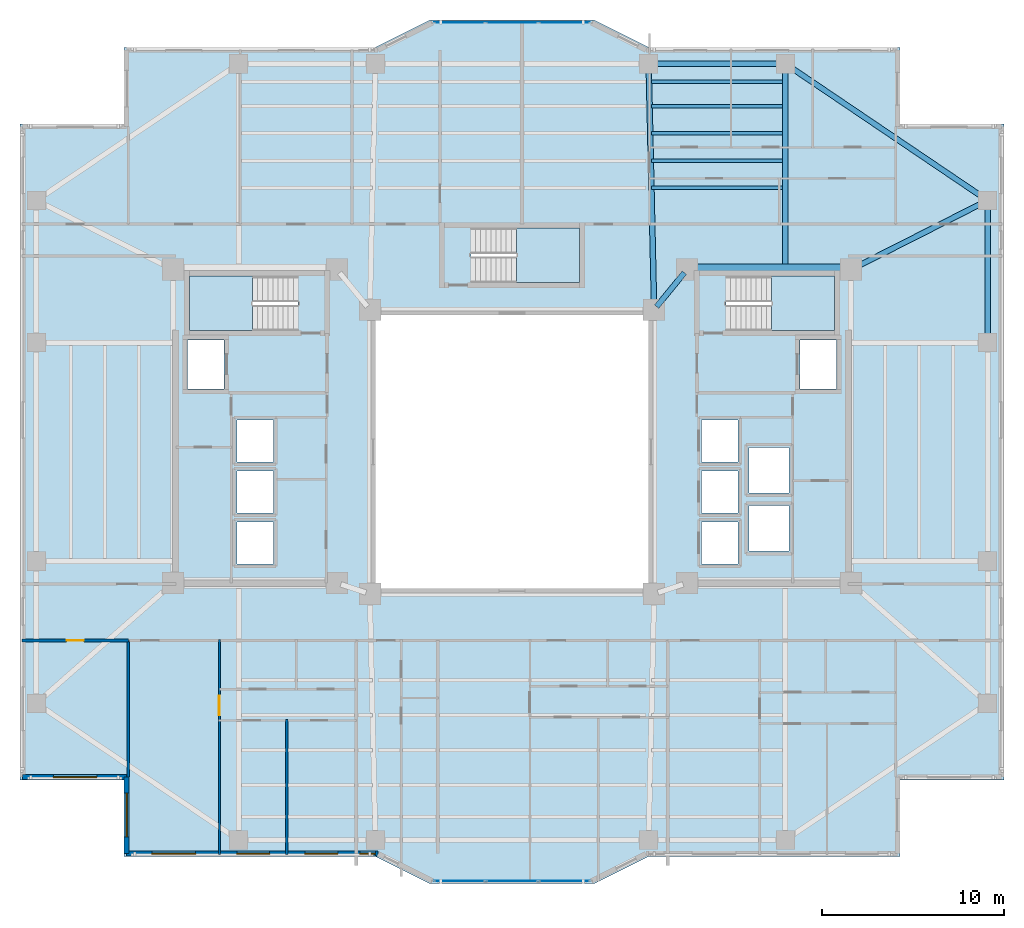
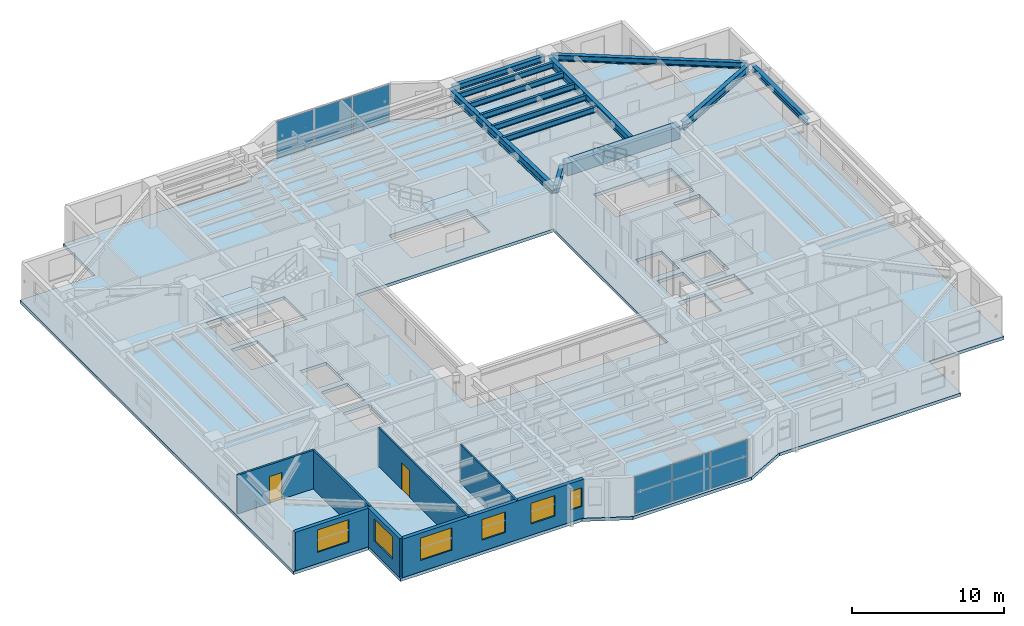
# One storey, part 5 of 18: 13 beams, 7 walls, 6 plates, 6 windows, 4 slabs, 2 doors, 8 openings, 5 elements without a shape of their own.
"""IFC4 building model written with IfcOpenShell, lengths in metres."""

from ifc_helpers import new_model, si_unit, direction, frame, frame_2d, origin, origin_2d, place, context, subcontext, project, spatial, polyline, rectangle, i_section, outline, extrude, material, layer, layer_set, material_profile, profile_set, type_object, element, fill, aggregate, save


model = new_model("IFC4")

# Units and contexts
model_context = context("Model", 3, precision=1e-05, world=origin(), true_north=direction((0.0, 1.0)))
body_context = subcontext(model_context, "Body", "Model", "MODEL_VIEW")
ifc_project = project(units=[si_unit("LENGTHUNIT", "METRE"), si_unit("AREAUNIT", "SQUARE_METRE"), si_unit("VOLUMEUNIT", "CUBIC_METRE"), si_unit("PLANEANGLEUNIT", "RADIAN"), si_unit("MASSUNIT", "GRAM", prefix="KILO")], contexts=[model_context])

# Site, building, storey
site_placement = place(None, origin())
site = spatial("IfcSite", under=ifc_project, at=site_placement, CompositionType="ELEMENT")
building_placement = place(site_placement, origin())
building = spatial("IfcBuilding", under=site, at=building_placement, Name="Tarnavaz Court Tower", CompositionType="ELEMENT")
storey_placement = place(building_placement, frame((0.0, 0.0, 85.0)))
storey = spatial("IfcBuildingStorey", under=building, at=storey_placement, Name="L22", CompositionType="ELEMENT", Elevation=85.0)

# Beams
ifc_material_1 = material(Name="Concrete C60/75", Category="concrete")
ifc_material_profile_1 = material_profile(ifc_material_1, rectangle(XDim=0.60009765625, YDim=1.0, at=origin_2d()), Name="RC 600X1000")
ifc_profile_set_1 = profile_set([ifc_material_profile_1], Name="Concrete C60/75")
beam_type_1 = type_object("IfcBeamType", Name="BM-CB1000", PredefinedType="LINTEL", material=ifc_profile_set_1)
beam_1_placement = place(storey_placement, frame((18.3798828125, 10.0, 2.60009765625), z_axis=(-1.0, 0.0, 0.0), x_axis=(0.0, -1.0, 0.0)))
element("IfcBeam", 1, at=beam_1_placement, inside=storey, type_object=beam_type_1, Name="L22 Beam IN-CE-NO-CE-NI", PredefinedType="LINTEL", context=body_context, shape_type="SweptSolid", body=[
    extrude(rectangle(XDim=0.60009765625, YDim=1.0, at=origin_2d()), origin(), (0.0, 0.0, 1.0), 8.559814453125),
])
ifc_material_2 = material(Name="Steel S355", Category="steel")
ifc_material_profile_2 = material_profile(ifc_material_2, i_section(OverallWidth=0.300048828125, OverallDepth=0.64990234375, WebThickness=0.01611328125, FlangeThickness=0.031005859375, FilletRadius=0.027099609375, at=origin_2d()), Name="HEB 650")
ifc_profile_set_2 = profile_set([ifc_material_profile_2], Name="Steel S355")
beam_type_2 = type_object("IfcBeamType", Name="BM-G-HEB650", PredefinedType="USERDEFINED", material=ifc_profile_set_2)
beam_2_placement = place(storey_placement, frame((9.460693359375, 9.82958984375, 2.77490234375), z_axis=(-0.633282058357, -0.773921077735, 0.0), x_axis=(0.773921077735, -0.633282058357, 0.0)))
element("IfcBeam", 2, at=beam_2_placement, inside=storey, type_object=beam_type_2, Name="L22 Beam IN-CE-NI-IW-NE", ObjectType="GIRDER", PredefinedType="USERDEFINED", context=body_context, shape_type="SweptSolid", body=[
    extrude(i_section(OverallWidth=0.300048828125, OverallDepth=0.64990234375, WebThickness=0.01611328125, FlangeThickness=0.031005859375, FilletRadius=0.027099609375, at=origin_2d()), origin(), (0.0, 0.0, 1.0), 2.402587890625),
])
beam_3_placement = place(storey_placement, frame((7.795166015625, 8.02001953125, 2.77490234375), z_axis=(-0.022221303469, 0.99975307635, 0.0), x_axis=(-0.99975307635, -0.022221303469, 0.0)))
element("IfcBeam", 3, at=beam_3_placement, inside=storey, type_object=beam_type_2, Name="L22 Beam RG-03", ObjectType="GIRDER", PredefinedType="USERDEFINED", context=body_context, shape_type="SweptSolid", body=[
    extrude(i_section(OverallWidth=0.300048828125, OverallDepth=0.64990234375, WebThickness=0.01611328125, FlangeThickness=0.031005859375, FilletRadius=0.027099609375, at=origin_2d()), origin(), (0.0, 0.0, 1.0), 13.063232421875),
])
beam_4_placement = place(storey_placement, frame((15.0, 10.0400390625, 2.77490234375), z_axis=(0.0, 1.0, 0.0), x_axis=(-1.0, 0.0, 0.0)))
element("IfcBeam", 4, at=beam_4_placement, inside=storey, type_object=beam_type_2, Name="L22 Beam RG-04", ObjectType="GIRDER", PredefinedType="USERDEFINED", context=body_context, shape_type="SweptSolid", body=[
    extrude(i_section(OverallWidth=0.300048828125, OverallDepth=0.64990234375, WebThickness=0.01611328125, FlangeThickness=0.031005859375, FilletRadius=0.027099609375, at=origin_2d()), origin(), (0.0, 0.0, 1.0), 11.0400390625),
])
beam_5_placement = place(storey_placement, frame((18.796142578125, 10.099365234375, 2.77490234375), z_axis=(0.892030669981, 0.451974870776, 0.0), x_axis=(-0.451974870776, 0.892030669981, 0.0)))
element("IfcBeam", 5, at=beam_5_placement, inside=storey, type_object=beam_type_2, Name="L22 Beam RG-12", ObjectType="GIRDER", PredefinedType="USERDEFINED", context=body_context, shape_type="SweptSolid", body=[
    extrude(i_section(OverallWidth=0.300048828125, OverallDepth=0.64990234375, WebThickness=0.01611328125, FlangeThickness=0.031005859375, FilletRadius=0.027099609375, at=origin_2d()), origin(), (0.0, 0.0, 1.0), 7.968017578125),
])
ifc_material_profile_3 = material_profile(ifc_material_2, i_section(OverallWidth=0.18994140625, OverallDepth=0.449951171875, WebThickness=0.009521484375, FlangeThickness=0.0146484375, FilletRadius=0.02099609375, at=origin_2d()), Name="IPE 450")
ifc_profile_set_3 = profile_set([ifc_material_profile_3], Name="Steel S355")
beam_type_3 = type_object("IfcBeamType", Name="BM-J-IPE450", PredefinedType="JOIST", material=ifc_profile_set_3)
for number, where, z_axis, x_axis, name in (
    (6, (7.64990234375, 14.493896484375, 2.875), (1.0, 0.0, 0.0), (0.0, 1.0, 0.0), "L22 Beam JN1-3"),
    (7, (7.64990234375, 15.988037109375, 2.875), (1.0, 0.0, 0.0), (0.0, 1.0, 0.0), "L22 Beam JN2-3"),
    (8, (7.64990234375, 17.48193359375, 2.875), (1.0, 0.0, 0.0), (0.0, 1.0, 0.0), "L22 Beam JN3-3"),
    (9, (7.64990234375, 18.97607421875, 2.875), (1.0, 0.0, 0.0), (0.0, 1.0, 0.0), "L22 Beam JN4-3"),
    (10, (7.64990234375, 20.303955078125, 2.875), (1.0, 0.0, 0.0), (0.0, 1.0, 0.0), "L22 Beam JN5-3"),
):
    element("IfcBeam", number, at=place(storey_placement, frame(where, z_axis=z_axis, x_axis=x_axis)), inside=storey, type_object=beam_type_3, Name=name, PredefinedType="JOIST", context=body_context, shape_type="SweptSolid", body=[
        extrude(i_section(OverallWidth=0.18994140625, OverallDepth=0.449951171875, WebThickness=0.009521484375, FlangeThickness=0.0146484375, FilletRadius=0.02099609375, at=origin_2d()), origin(), (0.0, 0.0, 1.0), 7.2001953125),
    ])
ifc_material_profile_4 = material_profile(ifc_material_2, i_section(OverallWidth=0.300048828125, OverallDepth=0.489990234375, WebThickness=0.011962890625, FlangeThickness=0.02294921875, FilletRadius=0.027099609375, at=origin_2d()), Name="HEA 500")
ifc_profile_set_4 = profile_set([ifc_material_profile_4], Name="Steel S355")
beam_type_4 = type_object("IfcBeamType", Name="BM-SP-HEA500", PredefinedType="SPANDREL", material=ifc_profile_set_4)
beam_6_placement = place(storey_placement, frame((7.719970703125, 21.300048828125, 2.85498046875), z_axis=(1.0, 0.0, 0.0), x_axis=(0.0, 1.0, 0.0)))
element("IfcBeam", 11, at=beam_6_placement, inside=storey, type_object=beam_type_4, Name="L22 Beam PR-PN-3-PN-4", PredefinedType="SPANDREL", context=body_context, shape_type="SweptSolid", body=[
    extrude(i_section(OverallWidth=0.300048828125, OverallDepth=0.489990234375, WebThickness=0.011962890625, FlangeThickness=0.02294921875, FilletRadius=0.027099609375, at=origin_2d()), origin(), (0.0, 0.0, 1.0), 7.06005859375),
])
beam_7_placement = place(storey_placement, frame((26.10009765625, 6.219970703125, 2.85498046875), z_axis=(0.0, 1.0, 0.0), x_axis=(-1.0, 0.0, 0.0)))
element("IfcBeam", 12, at=beam_7_placement, inside=storey, type_object=beam_type_4, Name="L22 Beam PR-PE-3-PE-4", PredefinedType="SPANDREL", context=body_context, shape_type="SweptSolid", body=[
    extrude(i_section(OverallWidth=0.300048828125, OverallDepth=0.489990234375, WebThickness=0.011962890625, FlangeThickness=0.02294921875, FilletRadius=0.027099609375, at=origin_2d()), origin(), (0.0, 0.0, 1.0), 7.360107421875),
])
beam_8_placement = place(storey_placement, frame((15.182373046875, 21.1767578125, 2.85498046875), z_axis=(0.828587314918, -0.559859858854, 0.0), x_axis=(0.559859858854, 0.828587314918, 0.0)))
element("IfcBeam", 13, at=beam_8_placement, inside=storey, type_object=beam_type_4, Name="L22 Beam PR-PN-4-PE-4", PredefinedType="SPANDREL", context=body_context, shape_type="SweptSolid", body=[
    extrude(i_section(OverallWidth=0.300048828125, OverallDepth=0.489990234375, WebThickness=0.011962890625, FlangeThickness=0.02294921875, FilletRadius=0.027099609375, at=origin_2d()), origin(), (0.0, 0.0, 1.0), 12.956298828125),
])

# Curtain wall, plates
ifc_material_3 = material(Name="Anodised Aluminium 6063-T6 and Solar Low-E Glazing", Category="aluminium")
ifc_layer_1 = layer(ifc_material_3, 0.179931640625)
ifc_layer_set_1 = layer_set([ifc_layer_1], Name="Anodised Aluminium 6063-T6 and Solar Low-E Glazing")
curtain_wall_type = type_object("IfcCurtainWallType", Name="CW-SYS-02", PredefinedType="NOTDEFINED", material=ifc_layer_set_1)
curtain_wall_1_placement = place(storey_placement, origin())
curtain_wall_1 = element("IfcCurtainWall", 14, at=curtain_wall_1_placement, inside=storey, type_object=curtain_wall_type, Name="L22 Iwan Prow Curtain Wall 7", PredefinedType="NOTDEFINED")
ifc_material_4 = material(Name="Double-Glazed Solar Low-E Glass", Category="glass")
ifc_layer_2 = layer(ifc_material_4, 0.028076171875)
ifc_layer_set_2 = layer_set([ifc_layer_2], Name="Double-Glazed Solar Low-E Glass")
plate_type = type_object("IfcPlateType", Name="CW-PAN-GLZ28", PredefinedType="CURTAIN_PANEL", material=ifc_layer_set_2)
plate_1_placement = place(storey_placement, frame((-2.88134765625, 23.550048828125, 0.06494140625), z_axis=(0.0, 0.0, 1.0), x_axis=(1.0, 0.0, 0.0)))
plate_1 = element("IfcPlate", 15, at=plate_1_placement, type_object=plate_type, Name="CW panel 1.1", PredefinedType="CURTAIN_PANEL", context=body_context, shape_type="SweptSolid", body=[
    extrude(rectangle(XDim=2.78759765625, YDim=0.028076171875, at=origin_2d()), origin(), (0.0, 0.0, 1.0), 2.969970703125),
])
plate_2_placement = place(storey_placement, frame((0.0, 23.550048828125, 0.06494140625), z_axis=(0.0, 0.0, 1.0), x_axis=(1.0, 0.0, 0.0)))
plate_2 = element("IfcPlate", 16, at=plate_2_placement, type_object=plate_type, Name="CW panel 2.1", PredefinedType="CURTAIN_PANEL", context=body_context, shape_type="SweptSolid", body=[
    extrude(rectangle(XDim=2.824951171875, YDim=0.028076171875, at=origin_2d()), origin(), (0.0, 0.0, 1.0), 2.969970703125),
])
plate_3_placement = place(storey_placement, frame((2.88134765625, 23.550048828125, 0.06494140625), z_axis=(0.0, 0.0, 1.0), x_axis=(1.0, 0.0, 0.0)))
plate_3 = element("IfcPlate", 17, at=plate_3_placement, type_object=plate_type, Name="CW panel 3.1", PredefinedType="CURTAIN_PANEL", context=body_context, shape_type="SweptSolid", body=[
    extrude(rectangle(XDim=2.78759765625, YDim=0.028076171875, at=origin_2d()), origin(), (0.0, 0.0, 1.0), 2.969970703125),
])
aggregate(curtain_wall_1, [plate_1, plate_2, plate_3])

curtain_wall_2_placement = place(storey_placement, origin())
curtain_wall_2 = element("IfcCurtainWall", 18, at=curtain_wall_2_placement, inside=storey, type_object=curtain_wall_type, Name="L22 Iwan Prow Curtain Wall 17", PredefinedType="NOTDEFINED")
plate_4_placement = place(storey_placement, frame((2.88134765625, -23.550048828125, 0.06494140625), z_axis=(0.0, 0.0, 1.0), x_axis=(-1.0, 0.0, 0.0)))
plate_4 = element("IfcPlate", 19, at=plate_4_placement, type_object=plate_type, Name="CW panel 1.1", PredefinedType="CURTAIN_PANEL", context=body_context, shape_type="SweptSolid", body=[
    extrude(rectangle(XDim=2.78759765625, YDim=0.028076171875, at=origin_2d()), origin(), (0.0, 0.0, 1.0), 2.969970703125),
])
plate_5_placement = place(storey_placement, frame((0.0, -23.550048828125, 0.06494140625), z_axis=(0.0, 0.0, 1.0), x_axis=(-1.0, 0.0, 0.0)))
plate_5 = element("IfcPlate", 20, at=plate_5_placement, type_object=plate_type, Name="CW panel 2.1", PredefinedType="CURTAIN_PANEL", context=body_context, shape_type="SweptSolid", body=[
    extrude(rectangle(XDim=2.824951171875, YDim=0.028076171875, at=origin_2d()), origin(), (0.0, 0.0, 1.0), 2.969970703125),
])
plate_6_placement = place(storey_placement, frame((-2.88134765625, -23.550048828125, 0.06494140625), z_axis=(0.0, 0.0, 1.0), x_axis=(-1.0, 0.0, 0.0)))
plate_6 = element("IfcPlate", 21, at=plate_6_placement, type_object=plate_type, Name="CW panel 3.1", PredefinedType="CURTAIN_PANEL", context=body_context, shape_type="SweptSolid", body=[
    extrude(rectangle(XDim=2.78759765625, YDim=0.028076171875, at=origin_2d()), origin(), (0.0, 0.0, 1.0), 2.969970703125),
])
aggregate(curtain_wall_2, [plate_4, plate_5, plate_6])

# Stair, slab
ifc_material_5 = material(Name="Concrete C40/50", Category="concrete")
stair_type = type_object("IfcStairType", Name="ST-TWR-20R", PredefinedType="HALF_TURN_STAIR", material=ifc_material_5)
stair_1_placement = place(storey_placement, origin())
stair_1 = element("IfcStair", 22, at=stair_1_placement, inside=storey, type_object=stair_type, Name="L22 West Core Pressurized Exit Stair ST-W1", PredefinedType="HALF_TURN_STAIR")
ifc_layer_3 = layer(ifc_material_5, 0.199951171875)
ifc_layer_set_3 = layer_set([ifc_layer_3], Name="Concrete C40/50")
slab_type_1 = type_object("IfcSlabType", Name="SL-LAND-200", PredefinedType="LANDING", material=ifc_layer_set_3)
slab_1_placement = place(storey_placement, frame((0.0, 0.0, 1.47509765625)))
slab_1 = element("IfcSlab", 23, at=slab_1_placement, type_object=slab_type_1, Name="ST-W1 landing 1", PredefinedType="LANDING", context=body_context, shape_type="SweptSolid", body=[
    extrude(outline(polyline([(-14.239990234375, 9.639892578125), (-17.699951171875, 9.639892578125), (-17.699951171875, 6.64990234375), (-14.239990234375, 6.64990234375), (-14.239990234375, 9.639892578125)])), origin(), (0.0, 0.0, 1.0), 0.199951171875),
])
aggregate(stair_1, [slab_1])

stair_2_placement = place(storey_placement, origin())
stair_2 = element("IfcStair", 24, at=stair_2_placement, inside=storey, type_object=stair_type, Name="L22 East Core Pressurized Exit Stair ST-E1", PredefinedType="HALF_TURN_STAIR")
slab_2_placement = place(storey_placement, frame((0.0, 0.0, 1.47509765625)))
slab_2 = element("IfcSlab", 25, at=slab_2_placement, type_object=slab_type_1, Name="ST-E1 landing 1", PredefinedType="LANDING", context=body_context, shape_type="SweptSolid", body=[
    extrude(outline(polyline([(14.239990234375, 6.64990234375), (17.699951171875, 6.64990234375), (17.699951171875, 9.639892578125), (14.239990234375, 9.639892578125), (14.239990234375, 6.64990234375)])), origin(), (0.0, 0.0, 1.0), 0.199951171875),
])
aggregate(stair_2, [slab_2])

stair_3_placement = place(storey_placement, origin())
stair_3 = element("IfcStair", 26, at=stair_3_placement, inside=storey, type_object=stair_type, Name="L22 North Ring Pressurized Exit Stair ST-N1", PredefinedType="HALF_TURN_STAIR")
slab_3_placement = place(storey_placement, frame((0.0, 0.0, 1.47509765625)))
slab_3 = element("IfcSlab", 27, at=slab_3_placement, type_object=slab_type_1, Name="ST-N1 landing 1", PredefinedType="LANDING", context=body_context, shape_type="SweptSolid", body=[
    extrude(outline(polyline([(0.239990234375, 9.300048828125), (3.699951171875, 9.300048828125), (3.699951171875, 12.2900390625), (0.239990234375, 12.2900390625), (0.239990234375, 9.300048828125)])), origin(), (0.0, 0.0, 1.0), 0.199951171875),
])
aggregate(stair_3, [slab_3])

# Slab
ifc_layer_4 = layer(ifc_material_5, 0.25)
ifc_layer_set_4 = layer_set([ifc_layer_4], Name="Concrete C40/50")
slab_type_2 = type_object("IfcSlabType", Name="SL-RES-250", PredefinedType="FLOOR", material=ifc_layer_set_4)
slab_4_placement = place(storey_placement, frame((0.0, 0.0, -0.25)))
element("IfcSlab", 28, at=slab_4_placement, inside=storey, type_object=slab_type_2, Name="L22 Structural Floor Slab", PredefinedType="FLOOR", context=body_context, shape_type="SweptSolid", body=[
    extrude(outline(polyline([(-21.300048828125, -22.199951171875), (-7.5, -22.199951171875), (-4.5, -23.699951171875), (4.5, -23.699951171875), (7.5, -22.199951171875), (21.300048828125, -22.199951171875), (21.300048828125, -18.0), (27.0, -18.0), (27.0, 18.0), (21.300048828125, 18.0), (21.300048828125, 22.199951171875), (7.5, 22.199951171875), (4.5, 23.699951171875), (-4.5, 23.699951171875), (-7.5, 22.199951171875), (-21.300048828125, 22.199951171875), (-21.300048828125, 18.0), (-27.0, 18.0), (-27.0, -18.0), (-21.300048828125, -18.0), (-21.300048828125, -22.199951171875)]), holes=[polyline([(-7.5, -7.5), (7.5, -7.5), (7.5, 7.5), (-7.5, 7.5), (-7.5, -7.5)]), polyline([(-11.7451171875, 9.639892578125), (-17.699951171875, 9.639892578125), (-17.699951171875, 6.64990234375), (-11.7451171875, 6.64990234375), (-11.7451171875, 9.639892578125)]), polyline([(11.7451171875, 6.64990234375), (17.699951171875, 6.64990234375), (17.699951171875, 9.639892578125), (11.7451171875, 9.639892578125), (11.7451171875, 6.64990234375)]), polyline([(-2.2548828125, 9.300048828125), (3.699951171875, 9.300048828125), (3.699951171875, 12.2900390625), (-2.2548828125, 12.2900390625), (-2.2548828125, 9.300048828125)]), polyline([(-17.800048828125, 3.449951171875), (-15.800048828125, 3.449951171875), (-15.800048828125, 6.14990234375), (-17.800048828125, 6.14990234375), (-17.800048828125, 3.449951171875)]), polyline([(-15.10009765625, -6.14990234375), (-13.10009765625, -6.14990234375), (-13.10009765625, -3.85009765625), (-15.10009765625, -3.85009765625), (-15.10009765625, -6.14990234375)]), polyline([(-15.10009765625, -3.35009765625), (-13.10009765625, -3.35009765625), (-13.10009765625, -1.050048828125), (-15.10009765625, -1.050048828125), (-15.10009765625, -3.35009765625)]), polyline([(-15.10009765625, -0.550048828125), (-13.10009765625, -0.550048828125), (-13.10009765625, 1.75), (-15.10009765625, 1.75), (-15.10009765625, -0.550048828125)]), polyline([(15.800048828125, 3.449951171875), (17.800048828125, 3.449951171875), (17.800048828125, 6.14990234375), (15.800048828125, 6.14990234375), (15.800048828125, 3.449951171875)]), polyline([(10.39990234375, -6.14990234375), (12.39990234375, -6.14990234375), (12.39990234375, -3.85009765625), (10.39990234375, -3.85009765625), (10.39990234375, -6.14990234375)]), polyline([(10.39990234375, -3.35009765625), (12.39990234375, -3.35009765625), (12.39990234375, -1.050048828125), (10.39990234375, -1.050048828125), (10.39990234375, -3.35009765625)]), polyline([(10.39990234375, -0.550048828125), (12.39990234375, -0.550048828125), (12.39990234375, 1.75), (10.39990234375, 1.75), (10.39990234375, -0.550048828125)]), polyline([(13.0, -5.449951171875), (15.199951171875, -5.449951171875), (15.199951171875, -2.949951171875), (13.0, -2.949951171875), (13.0, -5.449951171875)]), polyline([(13.0, -2.25), (15.199951171875, -2.25), (15.199951171875, 0.25), (13.0, 0.25), (13.0, -2.25)])]), origin(), (0.0, 0.0, 1.0), 0.25),
])

# Wall, opening, window
ifc_material_6 = material(Name="Precast Concrete C40/50", Category="concrete")
ifc_layer_5 = layer(ifc_material_6, 0.280029296875)
ifc_layer_set_5 = layer_set([ifc_layer_5], Name="Precast Concrete C40/50")
wall_type_1 = type_object("IfcWallType", Name="WL-EXT-280", PredefinedType="SOLIDWALL", material=ifc_layer_set_5)
wall_1_placement = place(storey_placement, frame((-21.14990234375, -17.85009765625, 0.0), z_axis=(0.0, 0.0, 1.0), x_axis=(-1.0, 0.0, 0.0)))
wall_1 = element("IfcWall", 29, at=wall_1_placement, inside=storey, type_object=wall_type_1, Name="L22 Exterior Terracotta Facade Wall 01", PredefinedType="SOLIDWALL", context=body_context, shape_type="SweptSolid", body=[
    extrude(rectangle(XDim=5.7001953125, YDim=0.280029296875, at=frame_2d((2.85009765625, 0.0))), origin(), (0.0, 0.0, 1.0), 3.10009765625),
])
opening_1_placement = place(wall_1_placement, frame((1.625, 0.0, 0.89990234375)))
opening_1 = element("IfcOpeningElement", 30, at=opening_1_placement, cuts=wall_1, Name="Opening W06", PredefinedType="OPENING", context=body_context, shape_type="SweptSolid", body=[
    extrude(rectangle(XDim=2.39990234375, YDim=1.800048828125, at=frame_2d((1.199951171875, 0.89990234375))), frame((0.0, 0.14990234375, 0.0), z_axis=(0.0, -1.0, 0.0), x_axis=(1.0, 0.0, 0.0)), (0.0, 0.0, 1.0), 0.300048828125),
])
window_type_1 = type_object("IfcWindowType", Name="WN-APT-2400", PartitioningType="TRIPLE_PANEL_VERTICAL", PredefinedType="WINDOW", material=ifc_material_4)
window_1_placement = place(opening_1_placement, origin())
window_1 = element("IfcWindow", 31, at=window_1_placement, inside=storey, type_object=window_type_1, Name="L22 South-West Corner Reading Room Window", OverallHeight=1.800048828125, OverallWidth=2.39990234375, PartitioningType="SINGLE_PANEL", PredefinedType="WINDOW", context=body_context, shape_type="SweptSolid", body=[
    extrude(rectangle(XDim=2.39990234375, YDim=1.800048828125, at=frame_2d((1.199951171875, 0.89990234375))), frame((0.0, 0.030029296875, 0.0), z_axis=(0.0, -1.0, 0.0), x_axis=(1.0, 0.0, 0.0)), (0.0, 0.0, 1.0), 0.06005859375),
])
fill(opening_1, window_1)

# Wall, openings, windows
wall_2_placement = place(storey_placement, frame((-7.35009765625, -22.050048828125, 0.0), z_axis=(0.0, 0.0, 1.0), x_axis=(-1.0, 0.0, 0.0)))
wall_2 = element("IfcWall", 32, at=wall_2_placement, inside=storey, type_object=wall_type_1, Name="L22 Exterior Terracotta Facade Wall 19", PredefinedType="SOLIDWALL", context=body_context, shape_type="SweptSolid", body=[
    extrude(rectangle(XDim=13.7998046875, YDim=0.280029296875, at=frame_2d((6.89990234375, 0.0))), origin(), (0.0, 0.0, 1.0), 3.10009765625),
])
opening_2_placement = place(wall_2_placement, frame((0.14697265625, 0.0, 0.949951171875)))
opening_2 = element("IfcOpeningElement", 33, at=opening_2_placement, cuts=wall_2, Name="Opening W15", PredefinedType="OPENING", context=body_context, shape_type="SweptSolid", body=[
    extrude(rectangle(XDim=0.85009765625, YDim=1.5, at=frame_2d((0.425048828125, 0.75))), frame((0.0, 0.14990234375, 0.0), z_axis=(0.0, -1.0, 0.0), x_axis=(1.0, 0.0, 0.0)), (0.0, 0.0, 1.0), 0.300048828125),
])
opening_3_placement = place(wall_2_placement, frame((2.211181640625, 0.0, 0.89990234375)))
opening_3 = element("IfcOpeningElement", 34, at=opening_3_placement, cuts=wall_2, Name="Opening W01", PredefinedType="OPENING", context=body_context, shape_type="SweptSolid", body=[
    extrude(rectangle(XDim=1.800048828125, YDim=1.64990234375, at=frame_2d((0.89990234375, 0.824951171875))), frame((0.0, 0.14990234375, 0.0), z_axis=(0.0, -1.0, 0.0), x_axis=(1.0, 0.0, 0.0)), (0.0, 0.0, 1.0), 0.300048828125),
])
opening_4_placement = place(wall_2_placement, frame((5.94970703125, 0.0, 0.89990234375)))
opening_4 = element("IfcOpeningElement", 35, at=opening_4_placement, cuts=wall_2, Name="Opening W01", PredefinedType="OPENING", context=body_context, shape_type="SweptSolid", body=[
    extrude(rectangle(XDim=1.800048828125, YDim=1.64990234375, at=frame_2d((0.89990234375, 0.824951171875))), frame((0.0, 0.14990234375, 0.0), z_axis=(0.0, -1.0, 0.0), x_axis=(1.0, 0.0, 0.0)), (0.0, 0.0, 1.0), 0.300048828125),
])
opening_5_placement = place(wall_2_placement, frame((10.015625, 0.0, 0.89990234375)))
opening_5 = element("IfcOpeningElement", 36, at=opening_5_placement, cuts=wall_2, Name="Opening W06", PredefinedType="OPENING", context=body_context, shape_type="SweptSolid", body=[
    extrude(rectangle(XDim=2.39990234375, YDim=1.800048828125, at=frame_2d((1.199951171875, 0.89990234375))), frame((0.0, 0.14990234375, 0.0), z_axis=(0.0, -1.0, 0.0), x_axis=(1.0, 0.0, 0.0)), (0.0, 0.0, 1.0), 0.300048828125),
])
window_type_2 = type_object("IfcWindowType", Name="WN-APT-1800", PartitioningType="DOUBLE_PANEL_VERTICAL", PredefinedType="WINDOW", material=ifc_material_4)
window_2_placement = place(opening_3_placement, origin())
window_2 = element("IfcWindow", 37, at=window_2_placement, inside=storey, type_object=window_type_2, Name="L22 Flat 02 Bedroom 2 Window", OverallHeight=1.64990234375, OverallWidth=1.800048828125, PartitioningType="SINGLE_PANEL", PredefinedType="WINDOW", context=body_context, shape_type="SweptSolid", body=[
    extrude(rectangle(XDim=1.800048828125, YDim=1.64990234375, at=frame_2d((0.89990234375, 0.824951171875))), frame((0.0, 0.030029296875, 0.0), z_axis=(0.0, -1.0, 0.0), x_axis=(1.0, 0.0, 0.0)), (0.0, 0.0, 1.0), 0.06005859375),
])
fill(opening_3, window_2)
window_3_placement = place(opening_4_placement, origin())
window_3 = element("IfcWindow", 38, at=window_3_placement, inside=storey, type_object=window_type_2, Name="L22 Flat 02 Principal Bedroom Window", OverallHeight=1.64990234375, OverallWidth=1.800048828125, PartitioningType="SINGLE_PANEL", PredefinedType="WINDOW", context=body_context, shape_type="SweptSolid", body=[
    extrude(rectangle(XDim=1.800048828125, YDim=1.64990234375, at=frame_2d((0.89990234375, 0.824951171875))), frame((0.0, 0.030029296875, 0.0), z_axis=(0.0, -1.0, 0.0), x_axis=(1.0, 0.0, 0.0)), (0.0, 0.0, 1.0), 0.06005859375),
])
fill(opening_4, window_3)
window_4_placement = place(opening_5_placement, origin())
window_4 = element("IfcWindow", 39, at=window_4_placement, inside=storey, type_object=window_type_1, Name="L22 Flat 02 Living and Dining Room Window", OverallHeight=1.800048828125, OverallWidth=2.39990234375, PartitioningType="SINGLE_PANEL", PredefinedType="WINDOW", context=body_context, shape_type="SweptSolid", body=[
    extrude(rectangle(XDim=2.39990234375, YDim=1.800048828125, at=frame_2d((1.199951171875, 0.89990234375))), frame((0.0, 0.030029296875, 0.0), z_axis=(0.0, -1.0, 0.0), x_axis=(1.0, 0.0, 0.0)), (0.0, 0.0, 1.0), 0.06005859375),
])
fill(opening_5, window_4)
window_type_3 = type_object("IfcWindowType", Name="WN-APT-850", PartitioningType="SINGLE_PANEL", PredefinedType="WINDOW", material=ifc_material_4)
window_5_placement = place(opening_2_placement, origin())
window_5 = element("IfcWindow", 40, at=window_5_placement, inside=storey, type_object=window_type_3, Name="L22 Flat 04 Studio Living and Sleeping Room Window", OverallHeight=1.5, OverallWidth=0.85009765625, PartitioningType="SINGLE_PANEL", PredefinedType="WINDOW", context=body_context, shape_type="SweptSolid", body=[
    extrude(rectangle(XDim=0.85009765625, YDim=1.5, at=frame_2d((0.425048828125, 0.75))), frame((0.0, 0.030029296875, 0.0), z_axis=(0.0, -1.0, 0.0), x_axis=(1.0, 0.0, 0.0)), (0.0, 0.0, 1.0), 0.06005859375),
])
fill(opening_2, window_5)

# Wall, opening, window
wall_3_placement = place(storey_placement, frame((-21.14990234375, -22.050048828125, 0.0), z_axis=(0.0, 0.0, 1.0), x_axis=(0.0, 1.0, 0.0)))
wall_3 = element("IfcWall", 41, at=wall_3_placement, inside=storey, type_object=wall_type_1, Name="L22 Exterior Terracotta Facade Wall 20", PredefinedType="SOLIDWALL", context=body_context, shape_type="SweptSolid", body=[
    extrude(rectangle(XDim=4.199951171875, YDim=0.280029296875, at=frame_2d((2.10009765625, 0.0))), origin(), (0.0, 0.0, 1.0), 3.10009765625),
])
opening_6_placement = place(wall_3_placement, frame((0.917724609375, 0.0, 0.89990234375)))
opening_6 = element("IfcOpeningElement", 42, at=opening_6_placement, cuts=wall_3, Name="Opening W06", PredefinedType="OPENING", context=body_context, shape_type="SweptSolid", body=[
    extrude(rectangle(XDim=2.39990234375, YDim=1.800048828125, at=frame_2d((1.199951171875, 0.89990234375))), frame((0.0, 0.14990234375, 0.0), z_axis=(0.0, -1.0, 0.0), x_axis=(1.0, 0.0, 0.0)), (0.0, 0.0, 1.0), 0.300048828125),
])
window_6_placement = place(opening_6_placement, origin())
window_6 = element("IfcWindow", 43, at=window_6_placement, inside=storey, type_object=window_type_1, Name="L22 Flat 02 Living and Dining Room Window", OverallHeight=1.800048828125, OverallWidth=2.39990234375, PartitioningType="SINGLE_PANEL", PredefinedType="WINDOW", context=body_context, shape_type="SweptSolid", body=[
    extrude(rectangle(XDim=2.39990234375, YDim=1.800048828125, at=frame_2d((1.199951171875, 0.89990234375))), frame((0.0, 0.030029296875, 0.0), z_axis=(0.0, -1.0, 0.0), x_axis=(1.0, 0.0, 0.0)), (0.0, 0.0, 1.0), 0.06005859375),
])
fill(opening_6, window_6)

# Wall, opening, door
ifc_material_7 = material(Name="Gypsum Fire-Board on Acoustic Metal Stud", Category="masonry")
ifc_layer_6 = layer(ifc_material_7, 0.14990234375)
ifc_layer_set_6 = layer_set([ifc_layer_6], Name="Gypsum Fire-Board on Acoustic Metal Stud")
wall_type_2 = type_object("IfcWallType", Name="WL-FIRE-150", PredefinedType="PARTITIONING", material=ifc_layer_set_6)
wall_4_placement = place(storey_placement, frame((-26.8798828125, -10.35009765625, 0.0), z_axis=(0.0, 0.0, 1.0), x_axis=(1.0, 0.0, 0.0)))
wall_4 = element("IfcWall", 44, at=wall_4_placement, inside=storey, type_object=wall_type_2, Name="L22 Interior Partition 121", PredefinedType="PARTITIONING", context=body_context, shape_type="SweptSolid", body=[
    extrude(rectangle(XDim=5.829833984375, YDim=0.14990234375, at=frame_2d((2.9150390625, 0.0))), origin(), (0.0, 0.0, 1.0), 3.10009765625),
])
opening_7_placement = place(wall_4_placement, frame((2.43994140625, 0.0, 0.0)))
opening_7 = element("IfcOpeningElement", 45, at=opening_7_placement, cuts=wall_4, Name="Opening D13", PredefinedType="OPENING", context=body_context, shape_type="SweptSolid", body=[
    extrude(rectangle(XDim=0.949951171875, YDim=2.14990234375, at=frame_2d((0.47509765625, 1.074951171875))), frame((0.0, 0.0849609375, 0.0), z_axis=(0.0, -1.0, 0.0), x_axis=(1.0, 0.0, 0.0)), (0.0, 0.0, 1.0), 0.169921875),
])
ifc_material_8 = material(Name="Engineered Oak Timber", Category="wood")
door_type_1 = type_object("IfcDoorType", Name="DR-INT-950", OperationType="NOTDEFINED", PredefinedType="DOOR", material=ifc_material_8)
door_1_placement = place(opening_7_placement, origin())
door_1 = element("IfcDoor", 46, at=door_1_placement, inside=storey, type_object=door_type_1, Name="L22 SW Reading Room Door", OperationType="SINGLE_SWING_LEFT", OverallHeight=2.14990234375, OverallWidth=0.949951171875, PredefinedType="DOOR", context=body_context, shape_type="SweptSolid", body=[
    extrude(rectangle(XDim=0.949951171875, YDim=2.14990234375, at=frame_2d((0.47509765625, 1.074951171875))), frame((0.0, 0.02490234375, 0.0), z_axis=(0.0, -1.0, 0.0), x_axis=(1.0, 0.0, 0.0)), (0.0, 0.0, 1.0), 0.050048828125),
])
fill(opening_7, door_1)

ifc_material_9 = material(Name="Moisture-Resistant Gypsum Board Partition", Category="masonry")
ifc_layer_7 = layer(ifc_material_9, 0.1201171875)
ifc_layer_set_7 = layer_set([ifc_layer_7], Name="Moisture-Resistant Gypsum Board Partition")
wall_type_3 = type_object("IfcWallType", Name="WL-PART-120", PredefinedType="PARTITIONING", material=ifc_layer_set_7)
wall_5_placement = place(storey_placement, frame((-16.05810546875, -22.10009765625, 0.0), z_axis=(0.0, 0.0, 1.0), x_axis=(0.0, 1.0, 0.0)))
wall_5 = element("IfcWall", 47, at=wall_5_placement, inside=storey, type_object=wall_type_3, Name="L22 Interior Partition 086", PredefinedType="PARTITIONING", context=body_context, shape_type="SweptSolid", body=[
    extrude(rectangle(XDim=11.81005859375, YDim=0.1201171875, at=frame_2d((5.905029296875, 0.0))), origin(), (0.0, 0.0, 1.0), 3.10009765625),
])
opening_8_placement = place(wall_5_placement, frame((7.64501953125, 0.0, 0.0)))
opening_8 = element("IfcOpeningElement", 48, at=opening_8_placement, cuts=wall_5, Name="Opening D12", PredefinedType="OPENING", context=body_context, shape_type="SweptSolid", body=[
    extrude(rectangle(XDim=1.080078125, YDim=2.14990234375, at=frame_2d((0.5400390625, 1.074951171875))), frame((0.0, 0.070068359375, 0.0), z_axis=(0.0, -1.0, 0.0), x_axis=(1.0, 0.0, 0.0)), (0.0, 0.0, 1.0), 0.14013671875),
])
door_type_2 = type_object("IfcDoorType", Name="DR-INT-1100", OperationType="NOTDEFINED", PredefinedType="DOOR", material=ifc_material_8)
door_2_placement = place(opening_8_placement, origin())
door_2 = element("IfcDoor", 49, at=door_2_placement, inside=storey, type_object=door_type_2, Name="L22 Flat 02 Foyer Door", OperationType="SINGLE_SWING_LEFT", OverallHeight=2.14990234375, OverallWidth=1.080078125, PredefinedType="DOOR", context=body_context, shape_type="SweptSolid", body=[
    extrude(rectangle(XDim=1.080078125, YDim=2.14990234375, at=frame_2d((0.5400390625, 1.074951171875))), frame((0.0, 0.02490234375, 0.0), z_axis=(0.0, -1.0, 0.0), x_axis=(1.0, 0.0, 0.0)), (0.0, 0.0, 1.0), 0.050048828125),
])
fill(opening_8, door_2)

# Walls
wall_6_placement = place(storey_placement, frame((-12.35888671875, -22.10009765625, 0.0), z_axis=(0.0, 0.0, 1.0), x_axis=(0.0, 1.0, 0.0)))
element("IfcWall", 50, at=wall_6_placement, inside=storey, type_object=wall_type_3, Name="L22 Interior Partition 091", PredefinedType="PARTITIONING", context=body_context, shape_type="SweptSolid", body=[
    extrude(rectangle(XDim=7.420166015625, YDim=0.1201171875, at=frame_2d((3.7099609375, 0.0))), origin(), (0.0, 0.0, 1.0), 3.10009765625),
])
ifc_material_10 = material(Name="Gypsum Plasterboard Acoustic Partition", Category="masonry")
ifc_layer_8 = layer(ifc_material_10, 0.139892578125)
ifc_layer_set_8 = layer_set([ifc_layer_8], Name="Gypsum Plasterboard Acoustic Partition")
wall_type_4 = type_object("IfcWallType", Name="WL-PART-150", PredefinedType="PARTITIONING", material=ifc_layer_set_8)
wall_7_placement = place(storey_placement, frame((-21.050048828125, -17.85009765625, 0.0), z_axis=(0.0, 0.0, 1.0), x_axis=(0.0, 1.0, 0.0)))
element("IfcWall", 51, at=wall_7_placement, inside=storey, type_object=wall_type_4, Name="L22 Interior Partition 115", PredefinedType="PARTITIONING", context=body_context, shape_type="SweptSolid", body=[
    extrude(rectangle(XDim=7.5, YDim=0.139892578125, at=frame_2d((3.75, 0.0))), origin(), (0.0, 0.0, 1.0), 3.10009765625),
])

save(model, "model.ifc")
